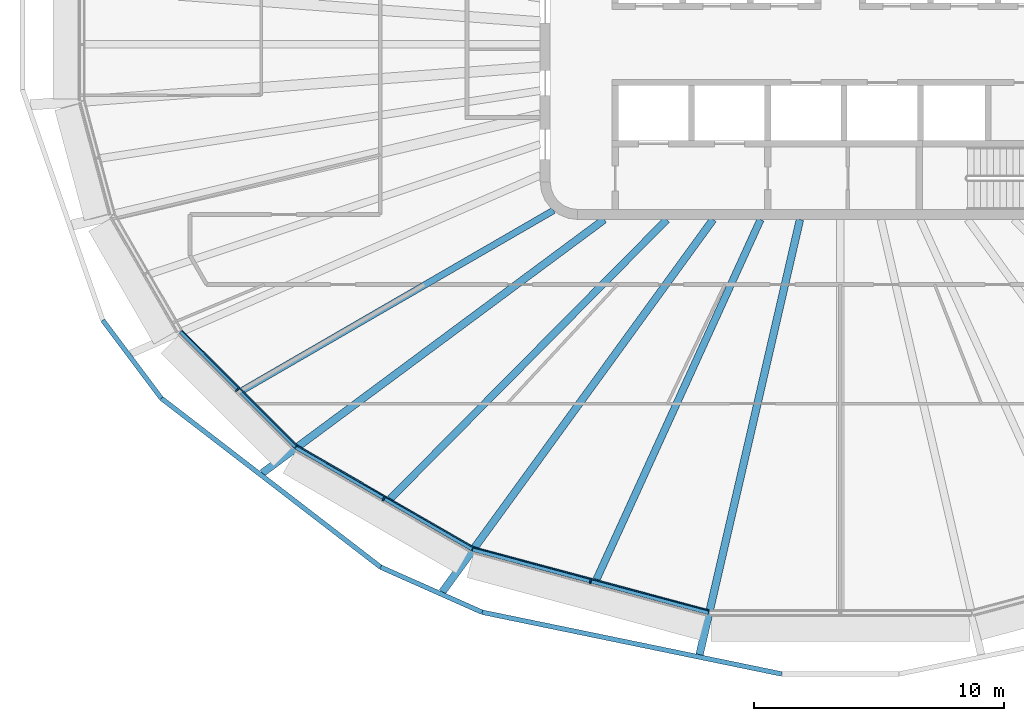
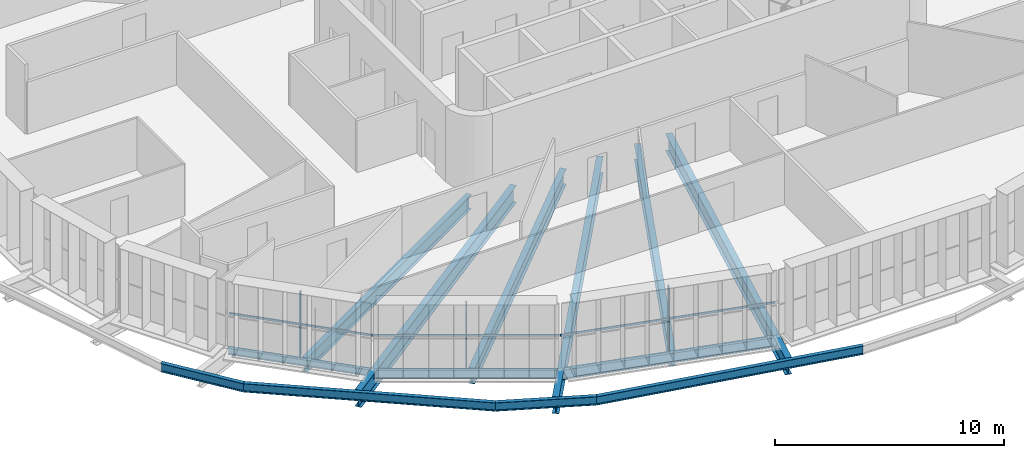
# One storey, part 1 of 20: 13 beams, 6 members, 3 elements without a shape of their own.
"""IFC4 building model written with IfcOpenShell, lengths in metres."""

from ifc_helpers import new_model, si_unit, direction, frame, origin, origin_2d, place, context, subcontext, project, spatial, rectangle, i_section, extrude, material, layer, layer_set, material_profile, profile_set, type_object, element, aggregate, save


model = new_model("IFC4")

# Units and contexts
model_context = context("Model", 3, precision=1e-05, world=origin(), true_north=direction((0.0, 1.0)))
body_context = subcontext(model_context, "Body", "Model", "MODEL_VIEW")
ifc_project = project(units=[si_unit("LENGTHUNIT", "METRE"), si_unit("AREAUNIT", "SQUARE_METRE"), si_unit("VOLUMEUNIT", "CUBIC_METRE"), si_unit("PLANEANGLEUNIT", "RADIAN"), si_unit("MASSUNIT", "GRAM", prefix="KILO")], contexts=[model_context])

# Site, building, storey
site_placement = place(None, origin())
site = spatial("IfcSite", under=ifc_project, at=site_placement, CompositionType="ELEMENT")
building_placement = place(site_placement, origin())
building = spatial("IfcBuilding", under=site, at=building_placement, Name="Sahrelin Media Tower", CompositionType="ELEMENT")
storey_placement = place(building_placement, frame((0.0, 0.0, 245.60009765625)))
storey = spatial("IfcBuildingStorey", under=building, at=storey_placement, Name="L53", CompositionType="ELEMENT", Elevation=245.60009765625)

# Beams
ifc_material_1 = material(Name="Steel S355", Category="steel")
ifc_material_profile_1 = material_profile(ifc_material_1, i_section(OverallWidth=0.17138671875, OverallDepth=0.35498046875, WebThickness=0.00732421875, FlangeThickness=0.011474609375, FilletRadius=0.01025390625, at=origin_2d()), Name="UB 356x171x51")
ifc_profile_set_1 = profile_set([ifc_material_profile_1], Name="Steel S355")
beam_type_1 = type_object("IfcBeamType", Name="Edge beam EB3", PredefinedType="BEAM", material=ifc_profile_set_1)
beam_1_placement = place(storey_placement, frame((-21.779296875, -16.07861328125, -0.32763671875), z_axis=(-0.707106781187, 0.707106781187, 0.0), x_axis=(-0.707106781187, -0.707106781187, 0.0)))
element("IfcBeam", 1, at=beam_1_placement, inside=storey, type_object=beam_type_1, Name="Edge beam L53-10", PredefinedType="BEAM", context=body_context, shape_type="SweptSolid", body=[
    extrude(i_section(OverallWidth=0.17138671875, OverallDepth=0.35498046875, WebThickness=0.00732421875, FlangeThickness=0.011474609375, FilletRadius=0.01025390625, at=origin_2d()), origin(), (0.0, 0.0, 1.0), 6.508544921875),
])
ifc_material_profile_2 = material_profile(ifc_material_1, i_section(OverallWidth=0.1904296875, OverallDepth=0.45703125, WebThickness=0.009033203125, FlangeThickness=0.014404296875, FilletRadius=0.01025390625, at=origin_2d()), Name="UB 457x191x74")
ifc_profile_set_2 = profile_set([ifc_material_profile_2], Name="Steel S355")
beam_type_2 = type_object("IfcBeamType", Name="Edge beam EB5", PredefinedType="BEAM", material=ifc_profile_set_2)
beam_2_placement = place(storey_placement, frame((-14.716796875, -20.160400390625, -0.378662109375), z_axis=(-0.866024038412, 0.500002364886, 0.0), x_axis=(-0.500002364886, -0.866024038412, 0.0)))
element("IfcBeam", 2, at=beam_2_placement, inside=storey, type_object=beam_type_2, Name="Edge beam L53-09", PredefinedType="BEAM", context=body_context, shape_type="SweptSolid", body=[
    extrude(i_section(OverallWidth=0.1904296875, OverallDepth=0.45703125, WebThickness=0.009033203125, FlangeThickness=0.014404296875, FilletRadius=0.01025390625, at=origin_2d()), origin(), (0.0, 0.0, 1.0), 8.12890625),
])
ifc_material_profile_3 = material_profile(ifc_material_1, i_section(OverallWidth=0.208740234375, OverallDepth=0.5283203125, WebThickness=0.009521484375, FlangeThickness=0.01318359375, FilletRadius=0.0126953125, at=origin_2d()), Name="UB 533x210x82")
ifc_profile_set_3 = profile_set([ifc_material_profile_3], Name="Steel S355")
beam_type_3 = type_object("IfcBeamType", Name="Edge beam EB6", PredefinedType="BEAM", material=ifc_profile_set_3)
beam_3_placement = place(storey_placement, frame((-5.267578125, -22.6962890625, -0.414306640625), z_axis=(-0.965922692081, 0.258830741845, 0.0), x_axis=(-0.258830741845, -0.965922692081, 0.0)))
element("IfcBeam", 3, at=beam_3_placement, inside=storey, type_object=beam_type_3, Name="Edge beam L53-08", PredefinedType="BEAM", context=body_context, shape_type="SweptSolid", body=[
    extrude(i_section(OverallWidth=0.208740234375, OverallDepth=0.5283203125, WebThickness=0.009521484375, FlangeThickness=0.01318359375, FilletRadius=0.0126953125, at=origin_2d()), origin(), (0.0, 0.0, 1.0), 9.755126953125),
])

# Curtain wall, member
ifc_material_2 = material(Name="Champagne anodised aluminium 6063-T6", Category="aluminium")
ifc_layer = layer(ifc_material_2, 0.14990234375)
ifc_layer_set = layer_set([ifc_layer], Name="Tower ribbon curtain wall")
curtain_wall_type = type_object("IfcCurtainWallType", Name="Tower ribbon curtain wall", PredefinedType="NOTDEFINED", material=ifc_layer_set)
curtain_wall_1_placement = place(storey_placement, frame((-24.1865234375, -13.88330078125, 0.0), z_axis=(0.0, 0.0, 1.0), x_axis=(1.0, 0.0, 0.0)))
curtain_wall_1 = element("IfcCurtainWall", 4, at=curtain_wall_1_placement, inside=storey, type_object=curtain_wall_type, Name="L53:CW:L53-15", PredefinedType="NOTDEFINED")
ifc_material_profile_4 = material_profile(ifc_material_2, rectangle(XDim=0.06005859375, YDim=0.175048828125, at=origin_2d()), Name="Mullion 60x175")
ifc_profile_set_4 = profile_set([ifc_material_profile_4], Name="Champagne anodised aluminium 6063-T6")
member_type_1 = type_object("IfcMemberType", Name="Mullion 60x175 CW1B", PredefinedType="MULLION", material=ifc_profile_set_4)
member_1_placement = place(storey_placement, frame((-24.110595703125, -13.807373046875, 0.0), z_axis=(0.0, 0.0, 1.0), x_axis=(0.707106781187, -0.707106781187, 0.0)))
member_1 = element("IfcMember", 5, at=member_1_placement, type_object=member_type_1, Name="L53:CWM:L53-15", PredefinedType="MULLION", context=body_context, shape_type="SweptSolid", body=[
    extrude(rectangle(XDim=0.06005859375, YDim=0.175048828125, at=origin_2d()), origin(), (0.0, 0.0, 1.0), 3.448486328125),
])

curtain_wall_2_placement = place(storey_placement, frame((-18.3115234375, -18.25830078125, 0.0), z_axis=(0.0, 0.0, 1.0), x_axis=(1.0, 0.0, 0.0)))
curtain_wall_2 = element("IfcCurtainWall", 6, at=curtain_wall_2_placement, inside=storey, type_object=curtain_wall_type, Name="L53:CW:L53-16", PredefinedType="NOTDEFINED")
member_2_placement = place(storey_placement, frame((-18.2578125, -18.1650390625, 0.0), z_axis=(0.0, 0.0, 1.0), x_axis=(0.866027149108, -0.499996976998, 0.0)))
member_2 = element("IfcMember", 7, at=member_2_placement, type_object=member_type_1, Name="L53:CWM:L53-16", PredefinedType="MULLION", context=body_context, shape_type="SweptSolid", body=[
    extrude(rectangle(XDim=0.06005859375, YDim=0.175048828125, at=origin_2d()), origin(), (0.0, 0.0, 1.0), 3.448486328125),
])

curtain_wall_3_placement = place(storey_placement, frame((-10.017578125, -21.57861328125, 0.0), z_axis=(0.0, 0.0, 1.0), x_axis=(1.0, 0.0, 0.0)))
curtain_wall_3 = element("IfcCurtainWall", 8, at=curtain_wall_3_placement, inside=storey, type_object=curtain_wall_type, Name="L53:CW:L53-17", PredefinedType="NOTDEFINED")
member_3_placement = place(storey_placement, frame((-9.98974609375, -21.474853515625, 0.0), z_axis=(0.0, 0.0, 1.0), x_axis=(0.965925374563, -0.258820730961, 0.0)))
member_3 = element("IfcMember", 9, at=member_3_placement, type_object=member_type_1, Name="L53:CWM:L53-17", PredefinedType="MULLION", context=body_context, shape_type="SweptSolid", body=[
    extrude(rectangle(XDim=0.06005859375, YDim=0.175048828125, at=origin_2d()), origin(), (0.0, 0.0, 1.0), 3.448486328125),
])

# Beams
ifc_material_profile_5 = material_profile(ifc_material_1, i_section(OverallWidth=0.30322265625, OverallDepth=0.903076171875, WebThickness=0.01513671875, FlangeThickness=0.020263671875, FilletRadius=0.01904296875, at=origin_2d()), Name="UB 914x305x201")
ifc_profile_set_5 = profile_set([ifc_material_profile_5], Name="Steel S355")
beam_type_4 = type_object("IfcBeamType", Name="Radial primary beam PB11", PredefinedType="BEAM", material=ifc_profile_set_5)
beam_4_placement = place(storey_placement, frame((-9.441162109375, -7.0, -0.6015625), z_axis=(-0.803287986213, -0.59559080853, 0.0), x_axis=(0.59559080853, -0.803287986213, 0.0)))
element("IfcBeam", 10, at=beam_4_placement, inside=storey, type_object=beam_type_4, Name="Radial beam L53-16", PredefinedType="BEAM", context=body_context, shape_type="SweptSolid", body=[
    extrude(i_section(OverallWidth=0.30322265625, OverallDepth=0.903076171875, WebThickness=0.01513671875, FlangeThickness=0.020263671875, FilletRadius=0.01904296875, at=origin_2d()), origin(), (0.0, 0.0, 1.0), 17.018310546875),
])
beam_5_placement = place(storey_placement, frame((-5.08837890625, -7.0, -0.6015625), z_axis=(-0.587991106654, -0.808867392405, 0.0), x_axis=(0.808867392405, -0.587991106654, 0.0)))
element("IfcBeam", 11, at=beam_5_placement, inside=storey, type_object=beam_type_4, Name="Radial beam L53-17", PredefinedType="BEAM", context=body_context, shape_type="SweptSolid", body=[
    extrude(i_section(OverallWidth=0.30322265625, OverallDepth=0.903076171875, WebThickness=0.01513671875, FlangeThickness=0.020263671875, FilletRadius=0.01904296875, at=origin_2d()), origin(), (0.0, 0.0, 1.0), 18.4091796875),
])
beam_6_placement = place(storey_placement, frame((-1.615478515625, -7.0, -0.6015625), z_axis=(-0.224863501495, -0.97439027381, 0.0), x_axis=(0.97439027381, -0.224863501495, 0.0)))
element("IfcBeam", 12, at=beam_6_placement, inside=storey, type_object=beam_type_4, Name="Radial beam L53-18", PredefinedType="BEAM", context=body_context, shape_type="SweptSolid", body=[
    extrude(i_section(OverallWidth=0.30322265625, OverallDepth=0.903076171875, WebThickness=0.01513671875, FlangeThickness=0.020263671875, FilletRadius=0.01904296875, at=origin_2d()), origin(), (0.0, 0.0, 1.0), 17.853759765625),
])
ifc_material_profile_6 = material_profile(ifc_material_1, i_section(OverallWidth=0.291748046875, OverallDepth=0.8349609375, WebThickness=0.013916015625, FlangeThickness=0.018798828125, FilletRadius=0.017822265625, at=origin_2d()), Name="UB 838x292x176")
ifc_profile_set_6 = profile_set([ifc_material_profile_6], Name="Steel S355")
beam_type_5 = type_object("IfcBeamType", Name="Radial secondary beam SB10", PredefinedType="BEAM", material=ifc_profile_set_6)
beam_7_placement = place(storey_placement, frame((-6.934326171875, -7.0, -0.567626953125), z_axis=(-0.70375757682, -0.710440196687, 0.0), x_axis=(0.710440196687, -0.70375757682, 0.0)))
element("IfcBeam", 13, at=beam_7_placement, inside=storey, type_object=beam_type_5, Name="Secondary beam L53-16", PredefinedType="BEAM", context=body_context, shape_type="SweptSolid", body=[
    extrude(i_section(OverallWidth=0.291748046875, OverallDepth=0.8349609375, WebThickness=0.013916015625, FlangeThickness=0.018798828125, FilletRadius=0.017822265625, at=origin_2d()), origin(), (0.0, 0.0, 1.0), 15.70947265625),
])
beam_8_placement = place(storey_placement, frame((-3.19091796875, -7.0, -0.567626953125), z_axis=(-0.414752003644, -0.90993448966, 0.0), x_axis=(0.90993448966, -0.414752003644, 0.0)))
element("IfcBeam", 14, at=beam_8_placement, inside=storey, type_object=beam_type_5, Name="Secondary beam L53-17", PredefinedType="BEAM", context=body_context, shape_type="SweptSolid", body=[
    extrude(i_section(OverallWidth=0.291748046875, OverallDepth=0.8349609375, WebThickness=0.013916015625, FlangeThickness=0.018798828125, FilletRadius=0.017822265625, at=origin_2d()), origin(), (0.0, 0.0, 1.0), 15.8115234375),
])
ifc_material_profile_7 = material_profile(ifc_material_1, i_section(OverallWidth=0.26513671875, OverallDepth=0.75390625, WebThickness=0.0126953125, FlangeThickness=0.017578125, FilletRadius=0.0166015625, at=origin_2d()), Name="UB 762x267x147")
ifc_profile_set_7 = profile_set([ifc_material_profile_7], Name="Steel S355")
beam_type_6 = type_object("IfcBeamType", Name="Radial secondary beam SB9", PredefinedType="BEAM", material=ifc_profile_set_7)
beam_9_placement = place(storey_placement, frame((-11.465087890625, -6.634033203125, -0.527099609375), z_axis=(-0.865540628134, -0.500838717602, 0.0), x_axis=(0.500838717602, -0.865540628134, 0.0)))
element("IfcBeam", 15, at=beam_9_placement, inside=storey, type_object=beam_type_6, Name="Secondary beam L53-15", PredefinedType="BEAM", context=body_context, shape_type="SweptSolid", body=[
    extrude(i_section(OverallWidth=0.26513671875, OverallDepth=0.75390625, WebThickness=0.0126953125, FlangeThickness=0.017578125, FilletRadius=0.0166015625, at=origin_2d()), origin(), (0.0, 0.0, 1.0), 14.371826171875),
])
ifc_material_profile_8 = material_profile(ifc_material_1, i_section(OverallWidth=0.1904296875, OverallDepth=0.45703125, WebThickness=0.009033203125, FlangeThickness=0.014404296875, FilletRadius=0.01025390625, at=origin_2d()), Name="UB 457x191x74")
ifc_profile_set_8 = profile_set([ifc_material_profile_8], Name="Steel S355")
beam_type_7 = type_object("IfcBeamType", Name="Tie chord TC5", PredefinedType="BEAM", material=ifc_profile_set_8)
beam_10_placement = place(storey_placement, frame((-29.49267578125, -11.02587890625, -0.378662109375), z_axis=(0.600080116168, -0.799939906605, 0.0), x_axis=(0.799939906605, 0.600080116168, 0.0)))
element("IfcBeam", 16, at=beam_10_placement, inside=storey, type_object=beam_type_7, Name="Tie chord L53-14", PredefinedType="BEAM", context=body_context, shape_type="SweptSolid", body=[
    extrude(i_section(OverallWidth=0.1904296875, OverallDepth=0.45703125, WebThickness=0.009033203125, FlangeThickness=0.014404296875, FilletRadius=0.01025390625, at=origin_2d()), origin(), (0.0, 0.0, 1.0), 3.900390625),
])
beam_11_placement = place(storey_placement, frame((-27.152099609375, -14.14599609375, -0.378662109375), z_axis=(0.792435403272, -0.60995584401, 0.0), x_axis=(0.60995584401, 0.792435403272, 0.0)))
element("IfcBeam", 17, at=beam_11_placement, inside=storey, type_object=beam_type_7, Name="Tie chord L53-15", PredefinedType="BEAM", context=body_context, shape_type="SweptSolid", body=[
    extrude(i_section(OverallWidth=0.1904296875, OverallDepth=0.45703125, WebThickness=0.009033203125, FlangeThickness=0.014404296875, FilletRadius=0.01025390625, at=origin_2d()), origin(), (0.0, 0.0, 1.0), 11.0712890625),
])
beam_12_placement = place(storey_placement, frame((-18.37890625, -20.89892578125, -0.378662109375), z_axis=(0.913822895956, -0.406112933586, 0.0), x_axis=(0.406112933586, 0.913822895956, 0.0)))
element("IfcBeam", 18, at=beam_12_placement, inside=storey, type_object=beam_type_7, Name="Tie chord L53-16", PredefinedType="BEAM", context=body_context, shape_type="SweptSolid", body=[
    extrude(i_section(OverallWidth=0.1904296875, OverallDepth=0.45703125, WebThickness=0.009033203125, FlangeThickness=0.014404296875, FilletRadius=0.01025390625, at=origin_2d()), origin(), (0.0, 0.0, 1.0), 4.43603515625),
])
beam_13_placement = place(storey_placement, frame((-14.3251953125, -22.700439453125, -0.378662109375), z_axis=(0.979389071905, -0.201982785984, 0.0), x_axis=(0.201982785984, 0.979389071905, 0.0)))
element("IfcBeam", 19, at=beam_13_placement, inside=storey, type_object=beam_type_7, Name="Tie chord L53-17", PredefinedType="BEAM", context=body_context, shape_type="SweptSolid", body=[
    extrude(i_section(OverallWidth=0.1904296875, OverallDepth=0.45703125, WebThickness=0.009033203125, FlangeThickness=0.014404296875, FilletRadius=0.01025390625, at=origin_2d()), origin(), (0.0, 0.0, 1.0), 12.237060546875),
])

# Member
ifc_material_profile_9 = material_profile(ifc_material_2, rectangle(XDim=0.050048828125, YDim=0.110107421875, at=origin_2d()), Name="Transom 50x110")
ifc_profile_set_9 = profile_set([ifc_material_profile_9], Name="Champagne anodised aluminium 6063-T6")
member_type_2 = type_object("IfcMemberType", Name="Transom 50x110 CW1B", PredefinedType="USERDEFINED", material=ifc_profile_set_9)
member_4_placement = place(storey_placement, frame((-26.321044921875, -11.43798828125, 1.599853515625), z_axis=(0.707125627567, -0.707087934304, 0.0), x_axis=(0.707087934304, 0.707125627567, 0.0)))
member_4 = element("IfcMember", 20, at=member_4_placement, type_object=member_type_2, Name="L53:CWT:L53-15", ObjectType="TRANSOM", PredefinedType="USERDEFINED", context=body_context, shape_type="SweptSolid", body=[
    extrude(rectangle(XDim=0.050048828125, YDim=0.110107421875, at=origin_2d()), origin(), (0.0, 0.0, 1.0), 6.47705078125),
])

aggregate(curtain_wall_1, [member_1, member_4])

member_5_placement = place(storey_placement, frame((-21.7080078125, -16.043212890625, 1.599853515625), z_axis=(0.866022911947, -0.500004315964, 0.0), x_axis=(0.500004315964, 0.866022911947, 0.0)))
member_5 = element("IfcMember", 21, at=member_5_placement, type_object=member_type_2, Name="L53:CWT:L53-16", ObjectType="TRANSOM", PredefinedType="USERDEFINED", context=body_context, shape_type="SweptSolid", body=[
    extrude(rectangle(XDim=0.050048828125, YDim=0.110107421875, at=origin_2d()), origin(), (0.0, 0.0, 1.0), 8.09765625),
])

aggregate(curtain_wall_2, [member_2, member_5])

member_6_placement = place(storey_placement, frame((-14.65673828125, -20.10791015625, 1.599853515625), z_axis=(0.965925860392, -0.25881891783, 0.0), x_axis=(0.25881891783, 0.965925860392, 0.0)))
member_6 = element("IfcMember", 22, at=member_6_placement, type_object=member_type_2, Name="L53:CWT:L53-17", ObjectType="TRANSOM", PredefinedType="USERDEFINED", context=body_context, shape_type="SweptSolid", body=[
    extrude(rectangle(XDim=0.050048828125, YDim=0.110107421875, at=origin_2d()), origin(), (0.0, 0.0, 1.0), 9.723388671875),
])

aggregate(curtain_wall_3, [member_3, member_6])

save(model, "model.ifc")
